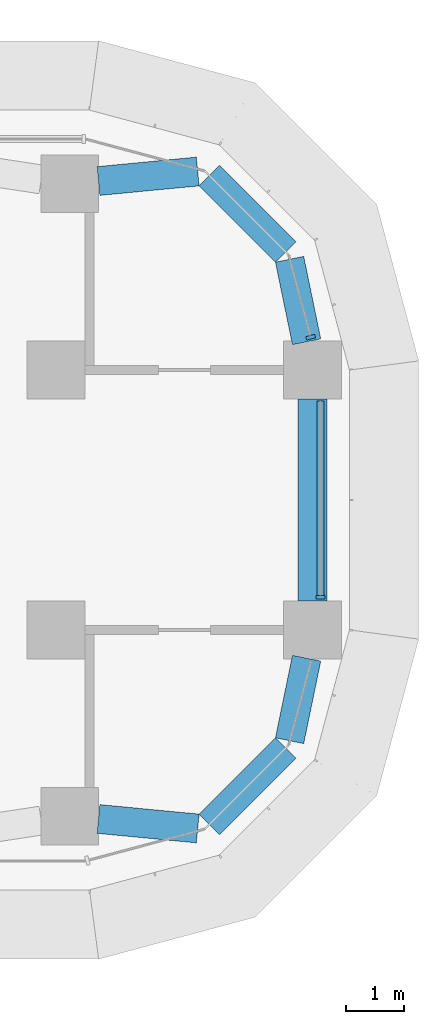
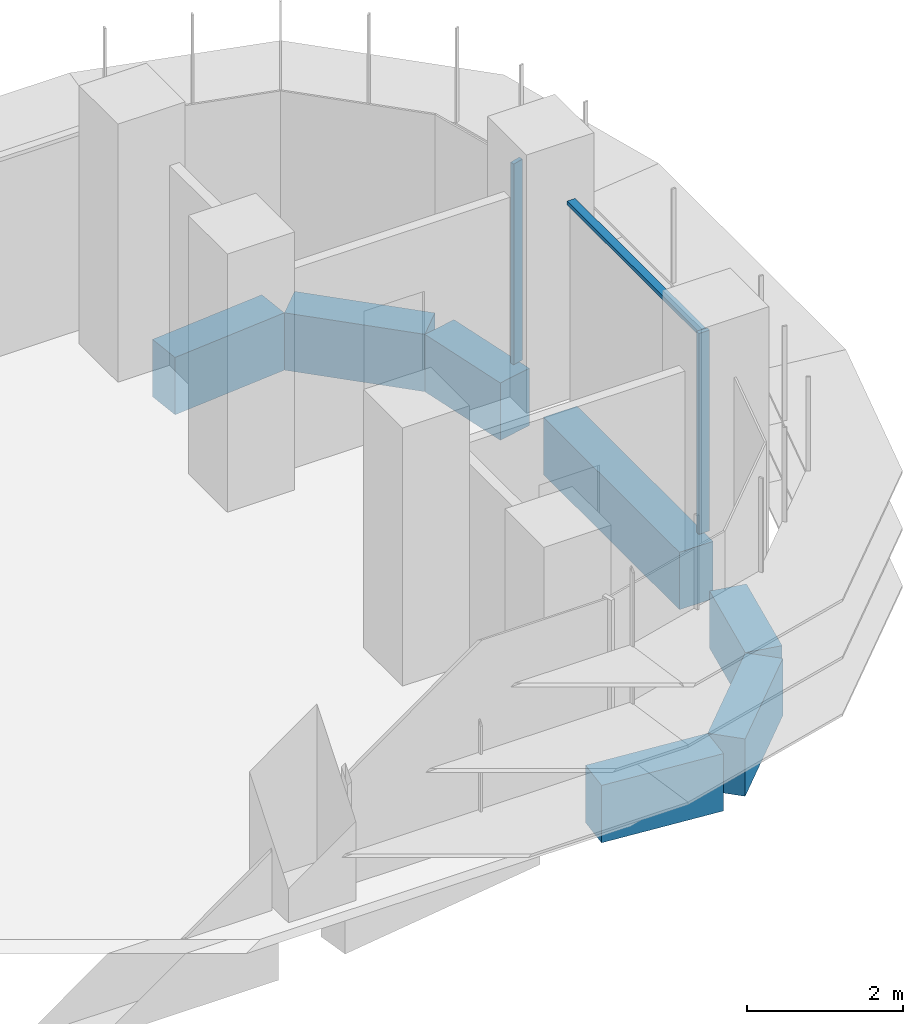
# One storey, part 11 of 23: 7 beams, 3 members, 2 elements without a shape of their own.
"""IFC4 building model written with IfcOpenShell, lengths in metres."""

from ifc_helpers import new_model, si_unit, direction, frame, origin, origin_2d, place, context, subcontext, project, spatial, polyline, rectangle, outline, extrude, source, transform, mapped, material, material_profile, profile_set, type_object, element, aggregate, save


model = new_model("IFC4")

# Units and contexts
model_context = context("Model", 3, precision=1e-05, world=origin(), true_north=direction((0.0, 1.0)))
body_context = subcontext(model_context, "Body", "Model", "MODEL_VIEW")
ifc_project = project(units=[si_unit("LENGTHUNIT", "METRE"), si_unit("AREAUNIT", "SQUARE_METRE"), si_unit("VOLUMEUNIT", "CUBIC_METRE"), si_unit("PLANEANGLEUNIT", "RADIAN"), si_unit("MASSUNIT", "GRAM", prefix="KILO")], contexts=[model_context])

# Site, building, storey
site_placement = place(None, origin())
site = spatial("IfcSite", under=ifc_project, at=site_placement, CompositionType="ELEMENT")
building_placement = place(site_placement, origin())
building = spatial("IfcBuilding", under=site, at=building_placement, Name="Zarbagh Exchange Tower", CompositionType="ELEMENT")
storey_placement = place(building_placement, frame((0.0, 0.0, 60.60009765625)))
storey = spatial("IfcBuildingStorey", under=building, at=storey_placement, Name="L13", CompositionType="ELEMENT", Elevation=60.60009765625)

# Beams
ifc_material_1 = material(Name="Concrete C60/75", Category="concrete")
ifc_material_profile = material_profile(ifc_material_1, rectangle(XDim=0.5, YDim=0.89990234375, at=origin_2d()), Name="RC spandrel beam 500 x 900 C60/75")
ifc_profile_set = profile_set([ifc_material_profile], Name="Concrete C60/75")
beam_type = type_object("IfcBeamType", Name="RC spandrel beam 500 x 900 C60/75", PredefinedType="SPANDREL", material=ifc_profile_set)
beam_1_placement = place(storey_placement, frame((29.40576171875, 5.522705078125, -0.60009765625), z_axis=(0.995431032456, 0.095483294999, 0.0), x_axis=(-0.095483294999, 0.995431032456, 0.0)))
element("IfcBeam", 1, at=beam_1_placement, inside=storey, type_object=beam_type, Name="RC spandrel beam", PredefinedType="SPANDREL", context=body_context, shape_type="SweptSolid", body=[
    extrude(rectangle(XDim=0.5, YDim=0.89990234375, at=origin_2d()), origin(), (0.0, 0.0, 1.0), 1.725830078125),
])
beam_2_placement = place(storey_placement, frame((31.324462890625, 5.615478515625, -0.60009765625), z_axis=(0.707172099812, -0.707041456527, 0.0), x_axis=(0.707041456527, 0.707172099812, 0.0)))
element("IfcBeam", 2, at=beam_2_placement, inside=storey, type_object=beam_type, Name="RC spandrel beam", PredefinedType="SPANDREL", context=body_context, shape_type="SweptSolid", body=[
    extrude(rectangle(XDim=0.5, YDim=0.89990234375, at=origin_2d()), origin(), (0.0, 0.0, 1.0), 1.86865234375),
])
beam_3_placement = place(storey_placement, frame((32.714111328125, 4.16796875, -0.60009765625), z_axis=(0.202068589164, -0.9793713725, 0.0), x_axis=(0.9793713725, 0.202068589164, 0.0)))
element("IfcBeam", 3, at=beam_3_placement, inside=storey, type_object=beam_type, Name="RC spandrel beam", PredefinedType="SPANDREL", context=body_context, shape_type="SweptSolid", body=[
    extrude(rectangle(XDim=0.5, YDim=0.89990234375, at=origin_2d()), origin(), (0.0, 0.0, 1.0), 1.458251953125),
])
beam_4_placement = place(storey_placement, frame((33.110107421875, 1.75, -0.60009765625), z_axis=(0.0, -1.0, 0.0), x_axis=(1.0, 0.0, 0.0)))
element("IfcBeam", 4, at=beam_4_placement, inside=storey, type_object=beam_type, Name="RC spandrel beam", PredefinedType="SPANDREL", context=body_context, shape_type="SweptSolid", body=[
    extrude(rectangle(XDim=0.5, YDim=0.89990234375, at=origin_2d()), origin(), (0.0, 0.0, 1.0), 3.5),
])
beam_5_placement = place(storey_placement, frame((33.0087890625, -2.73974609375, -0.60009765625), z_axis=(-0.202068589164, -0.9793713725, 0.0), x_axis=(0.9793713725, -0.202068589164, 0.0)))
element("IfcBeam", 5, at=beam_5_placement, inside=storey, type_object=beam_type, Name="RC spandrel beam", PredefinedType="SPANDREL", context=body_context, shape_type="SweptSolid", body=[
    extrude(rectangle(XDim=0.5, YDim=0.89990234375, at=origin_2d()), origin(), (0.0, 0.0, 1.0), 1.458251953125),
])
beam_6_placement = place(storey_placement, frame((32.64599609375, -4.294189453125, -0.60009765625), z_axis=(-0.707172099812, -0.707041456527, 0.0), x_axis=(0.707041456527, -0.707172099812, 0.0)))
element("IfcBeam", 6, at=beam_6_placement, inside=storey, type_object=beam_type, Name="RC spandrel beam", PredefinedType="SPANDREL", context=body_context, shape_type="SweptSolid", body=[
    extrude(rectangle(XDim=0.5, YDim=0.89990234375, at=origin_2d()), origin(), (0.0, 0.0, 1.0), 1.86865234375),
])
beam_7_placement = place(storey_placement, frame((31.123779296875, -5.6875, -0.60009765625), z_axis=(-0.995431032456, 0.095483294999, 0.0), x_axis=(-0.095483294999, -0.995431032456, 0.0)))
element("IfcBeam", 7, at=beam_7_placement, inside=storey, type_object=beam_type, Name="RC spandrel beam", PredefinedType="SPANDREL", context=body_context, shape_type="SweptSolid", body=[
    extrude(rectangle(XDim=0.5, YDim=0.89990234375, at=origin_2d()), origin(), (0.0, 0.0, 1.0), 1.725830078125),
])

# Curtain wall, member
ifc_material_2 = material(Name="Anodised aluminium frame and glazing", Category="aluminium")
curtain_wall_type = type_object("IfcCurtainWallType", Name="CWA Ribbon glazing, lower zones", PredefinedType="NOTDEFINED", material=ifc_material_2)
curtain_wall_1_placement = place(storey_placement, origin())
curtain_wall_1 = element("IfcCurtainWall", 8, at=curtain_wall_1_placement, inside=storey, type_object=curtain_wall_type, Name="CWA12 curtain wall", PredefinedType="NOTDEFINED")
ifc_material_3 = material(Name="Anodised aluminium frame", Category="aluminium")
member_type_1 = type_object("IfcMemberType", Name="MUA Mullion, anodised aluminium frame", PredefinedType="MULLION", material=ifc_material_3)
shared_shape_1 = source(origin(), body_context, "Body", "SweptSolid", [
    extrude(outline(polyline([(0.0, -0.080078125), (0.06005859375, -0.080078125), (0.06005859375, 0.080078125), (0.0, 0.080078125), (0.0, -0.080078125)])), origin(), (0.0, 0.0, 1.0), 3.14990234375),
])
placement = place(storey_placement, origin())
member_1 = element("IfcMember", 9, at=placement, type_object=member_type_1, Name="CWA12 mullion 1.1", PredefinedType="MULLION", context=body_context, shape_type="MappedRepresentation", body=[
    mapped(shared_shape_1, transform((33.25, -1.7099609375, 0.0), x_axis=(0.0, 1.0, 0.0), y_axis=(-1.0, 0.0, 0.0), z_axis=(0.0, 0.0, 1.0))),
])

curtain_wall_2_placement = place(storey_placement, origin())
curtain_wall_2 = element("IfcCurtainWall", 10, at=curtain_wall_2_placement, inside=storey, type_object=curtain_wall_type, Name="CWA13 curtain wall", PredefinedType="NOTDEFINED")
member_2 = element("IfcMember", 11, at=placement, type_object=member_type_1, Name="CWA13 mullion 1.1", PredefinedType="MULLION", context=body_context, shape_type="MappedRepresentation", body=[
    mapped(shared_shape_1, transform((33.087646484375, 2.7900390625, 0.0), x_axis=(-0.258824779902, 0.965924289636, 0.0), y_axis=(-0.965924289636, -0.258824779902, 0.0), z_axis=(0.0, 0.0, 1.0))),
])
aggregate(curtain_wall_2, [member_2])

# Member
member_type_2 = type_object("IfcMemberType", Name="TRA Transom, anodised aluminium frame", PredefinedType="USERDEFINED", material=ifc_material_3)
shared_shape_2 = source(origin(), body_context, "Body", "SweptSolid", [
    extrude(outline(polyline([(-0.06005859375, -0.06005859375), (0.0, -0.06005859375), (0.0, 0.06005859375), (-0.06005859375, 0.06005859375), (-0.06005859375, -0.06005859375)])), origin(), (0.0, 0.0, 1.0), 3.360107421875),
])
member_3 = element("IfcMember", 12, at=placement, type_object=member_type_2, Name="CWA12 transom 1.1", ObjectType="TRANSOM", PredefinedType="USERDEFINED", context=body_context, shape_type="MappedRepresentation", body=[
    mapped(shared_shape_2, transform((33.25, -1.64990234375, 3.14990234375), x_axis=(0.0, 0.0, 1.0), y_axis=(1.0, 0.0, 0.0), z_axis=(0.0, 1.0, 0.0))),
])

aggregate(curtain_wall_1, [member_1, member_3])

save(model, "model.ifc")
